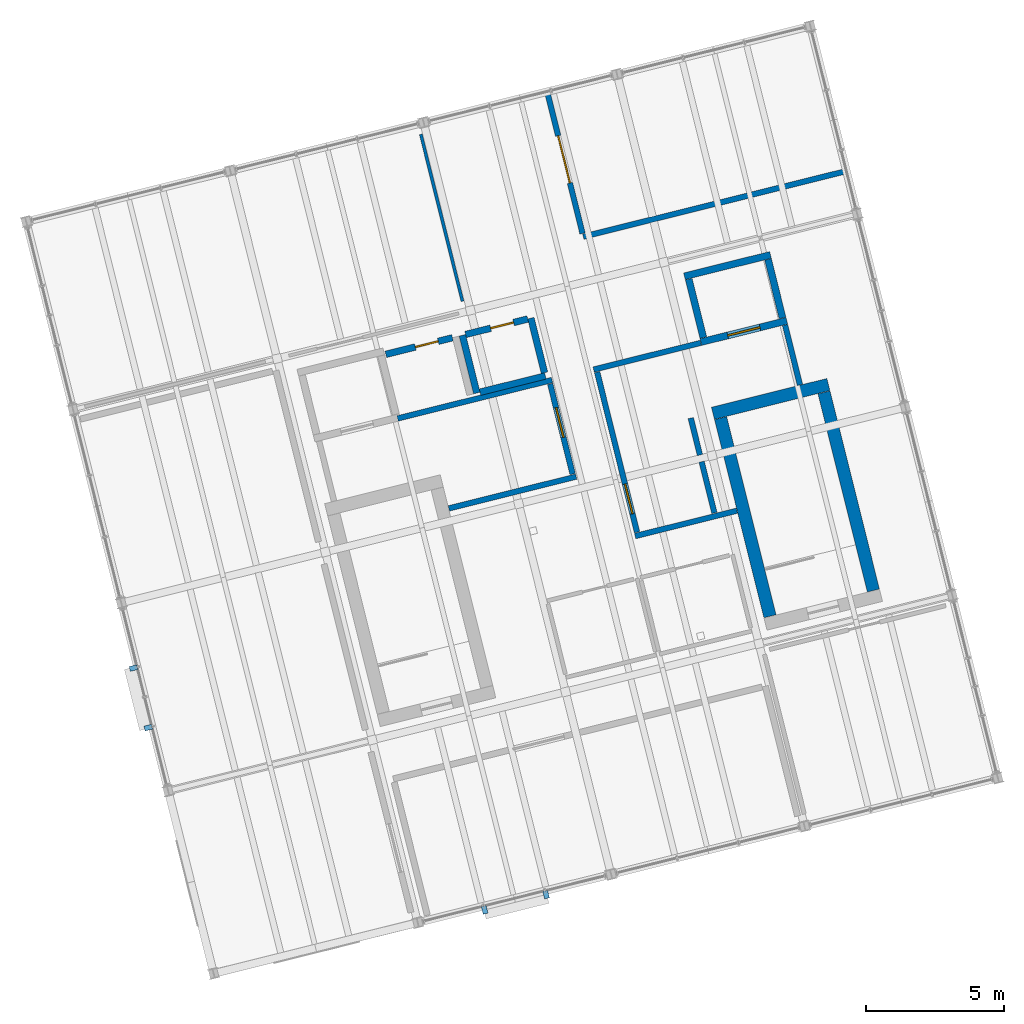
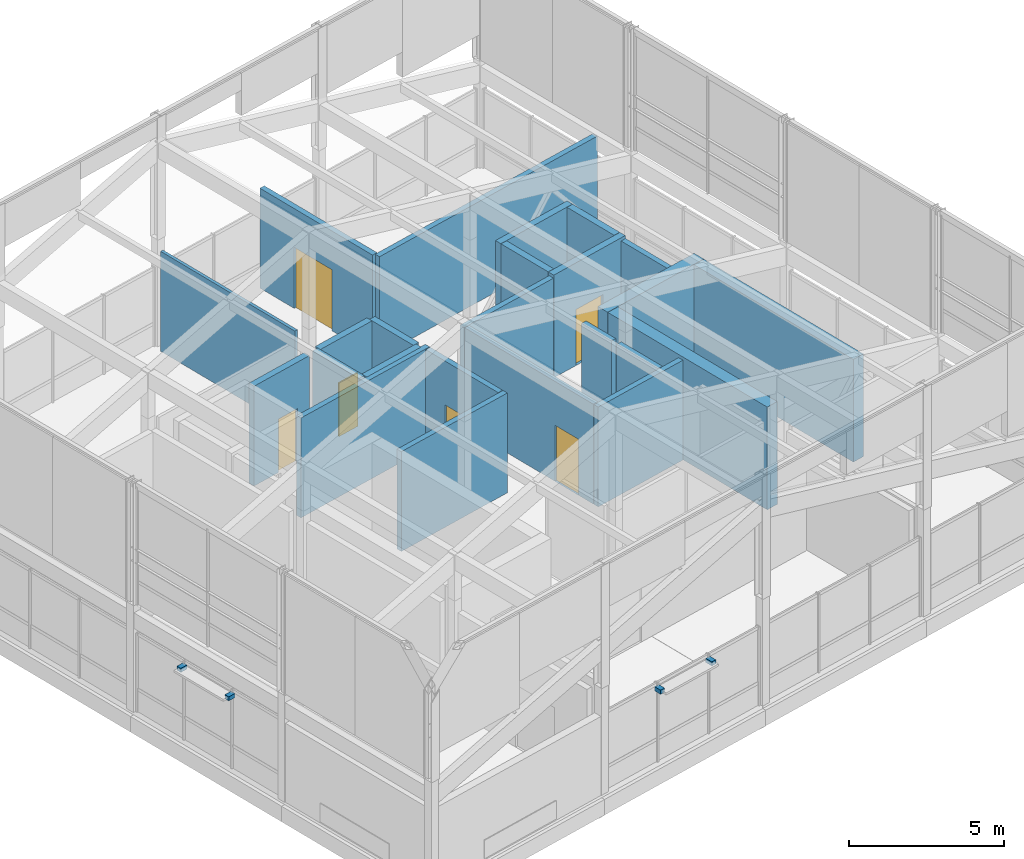
# One storey, part 30 of 31: 24 walls, 6 doors, 4 discrete accessories, 6 openings.
"""IFC4 building model written with IfcOpenShell, lengths in metres."""

from ifc_helpers import new_model, si_unit, direction, frame, frame_2d, origin, origin_2d, place, context, subcontext, project, spatial, rectangle, extrude, material, layer, layer_set, type_object, element, fill, save


model = new_model("IFC4")

# Units and contexts
model_context = context("Model", 3, precision=1e-05, world=origin(), true_north=direction((0.0, 1.0)))
body_context = subcontext(model_context, "Body", "Model", "MODEL_VIEW")
ifc_project = project(units=[si_unit("LENGTHUNIT", "METRE"), si_unit("AREAUNIT", "SQUARE_METRE"), si_unit("VOLUMEUNIT", "CUBIC_METRE"), si_unit("PLANEANGLEUNIT", "RADIAN"), si_unit("MASSUNIT", "GRAM", prefix="KILO")], contexts=[model_context])

# Site, building, storey
site_placement = place(None, origin())
site = spatial("IfcSite", under=ifc_project, at=site_placement, CompositionType="ELEMENT")
building_placement = place(site_placement, origin())
building = spatial("IfcBuilding", under=site, at=building_placement, Name="Meriwether Solvik Hall", CompositionType="ELEMENT")
storey_placement = place(building_placement, frame((0.0, 0.0, 61.199951171875)))
storey = spatial("IfcBuildingStorey", under=building, at=storey_placement, Name="L15", CompositionType="ELEMENT", Elevation=61.199951171875)

# Walls
ifc_material_1 = material(Name="Fire-Rated Type X Gypsum Board", Category="gypsum")
ifc_layer_1 = layer(ifc_material_1, 0.199951171875)
ifc_layer_set_1 = layer_set([ifc_layer_1], Name="Fire-Rated Type X Gypsum Board")
wall_type_1 = type_object("IfcWallType", Name="WALL-FIRE-200", PredefinedType="STANDARD", material=ifc_layer_set_1)
wall_1_placement = place(storey_placement, frame((77.096923828125, 58.0048828125, 0.0), z_axis=(0.0, 0.0, 1.0), x_axis=(0.970305892741, 0.241881116483, 0.0)))
element("IfcWall", 1, at=wall_1_placement, inside=storey, type_object=wall_type_1, Name="L15 Interior Partition lb1_s", PredefinedType="STANDARD", context=body_context, shape_type="SweptSolid", body=[
    extrude(rectangle(XDim=4.73974609375, YDim=0.199951171875, at=frame_2d((2.369873046875, 0.0))), origin(), (0.0, 0.0, 1.0), 3.920166015625),
])
wall_2_placement = place(storey_placement, frame((75.24609375, 61.25341796875, 0.0), z_axis=(0.0, 0.0, 1.0), x_axis=(0.970292173201, 0.24193614576, 0.0)))
element("IfcWall", 2, at=wall_2_placement, inside=storey, type_object=wall_type_1, Name="L15 Interior Partition lb1_n_cap", PredefinedType="STANDARD", context=body_context, shape_type="SweptSolid", body=[
    extrude(rectangle(XDim=5.75, YDim=0.199951171875, at=frame_2d((2.875, 0.0))), origin(), (0.0, 0.0, 1.0), 3.920166015625),
])

# Wall, opening, door
wall_3_placement = place(storey_placement, frame((80.75732421875, 62.50390625, 0.0), z_axis=(0.0, 0.0, 1.0), x_axis=(0.241885902723, -0.970304699599, 0.0)))
wall_3 = element("IfcWall", 3, at=wall_3_placement, inside=storey, type_object=wall_type_1, Name="L15 Interior Partition lb1_e", PredefinedType="STANDARD", context=body_context, shape_type="SweptSolid", body=[
    extrude(rectangle(XDim=3.360107421875, YDim=0.199951171875, at=frame_2d((1.68017578125, 0.0))), origin(), (0.0, 0.0, 1.0), 3.920166015625),
])
opening_1_placement = place(wall_3_placement, frame((0.889892578125, 0.0, 0.0)))
opening_1 = element("IfcOpeningElement", 4, at=opening_1_placement, cuts=wall_3, Name="Opening D-168", PredefinedType="OPENING", context=body_context, shape_type="SweptSolid", body=[
    extrude(rectangle(XDim=1.10009765625, YDim=2.199951171875, at=frame_2d((0.550048828125, 1.10009765625))), frame((0.0, 0.11181640625, 0.0), z_axis=(0.0, -1.0, 0.0), x_axis=(1.0, 0.0, 0.0)), (0.0, 0.0, 1.0), 0.223876953125),
])
ifc_material_2 = material(Name="Steel A36 Galvanised", Category="steel")
door_type_1 = type_object("IfcDoorType", Name="DR-FD60-1100L", OperationType="SINGLE_SWING_LEFT", PredefinedType="DOOR", material=ifc_material_2)
door_1_placement = place(opening_1_placement, origin())
door_1 = element("IfcDoor", 5, at=door_1_placement, inside=storey, type_object=door_type_1, Name="West FSAE Lift Lobby Door (L15)", OperationType="SINGLE_SWING_LEFT", OverallHeight=2.199951171875, OverallWidth=1.10009765625, PredefinedType="DOOR", context=body_context, shape_type="SweptSolid", body=[
    extrude(rectangle(XDim=1.10009765625, YDim=2.199951171875, at=frame_2d((0.550048828125, 1.10009765625))), frame((0.0, 0.02490234375, 0.0), z_axis=(0.0, -1.0, 0.0), x_axis=(1.0, 0.0, 0.0)), (0.0, 0.0, 1.0), 0.050048828125),
])
fill(opening_1, door_1)

# Walls
wall_4_placement = place(storey_placement, frame((83.8291015625, 57.003662109375, 0.0), z_axis=(0.0, 0.0, 1.0), x_axis=(0.970290096712, 0.241944473428, 0.0)))
element("IfcWall", 6, at=wall_4_placement, inside=storey, type_object=wall_type_1, Name="L15 Interior Partition lb2_s_w", PredefinedType="STANDARD", context=body_context, shape_type="SweptSolid", body=[
    extrude(rectangle(XDim=3.7900390625, YDim=0.199951171875, at=frame_2d((1.89501953125, 0.0))), origin(), (0.0, 0.0, 1.0), 3.920166015625),
])
wall_5_placement = place(storey_placement, frame((86.691650390625, 57.841064453125, 0.0), z_axis=(0.0, 0.0, 1.0), x_axis=(-0.241992731984, 0.970278062035, 0.0)))
element("IfcWall", 7, at=wall_5_placement, inside=storey, type_object=wall_type_1, Name="L15 Interior Partition lb2_e_low", PredefinedType="STANDARD", context=body_context, shape_type="SweptSolid", body=[
    extrude(rectangle(XDim=1.90478515625, YDim=0.199951171875, at=frame_2d((0.952392578125, 0.0))), origin(), (0.0, 0.0, 1.0), 3.920166015625),
])
wall_6_placement = place(storey_placement, frame((86.169921875, 59.932861328125, 0.0), z_axis=(0.0, 0.0, 1.0), x_axis=(-0.241824833036, 0.970319921535, 0.0)))
element("IfcWall", 8, at=wall_6_placement, inside=storey, type_object=wall_type_1, Name="L15 Interior Partition lb2_e_low_s2", PredefinedType="STANDARD", context=body_context, shape_type="SweptSolid", body=[
    extrude(rectangle(XDim=1.3740234375, YDim=0.199951171875, at=frame_2d((0.68701171875, 0.0))), origin(), (0.0, 0.0, 1.0), 3.920166015625),
])
wall_7_placement = place(storey_placement, frame((82.3291015625, 63.01953125, 0.0), z_axis=(0.0, 0.0, 1.0), x_axis=(0.970293478038, 0.24193091261, 0.0)))
element("IfcWall", 9, at=wall_7_placement, inside=storey, type_object=wall_type_1, Name="L15 Interior Partition lb2_n_cap", PredefinedType="STANDARD", context=body_context, shape_type="SweptSolid", body=[
    extrude(rectangle(XDim=3.990234375, YDim=0.199951171875, at=frame_2d((1.9951171875, 0.0))), origin(), (0.0, 0.0, 1.0), 3.920166015625),
])
wall_8_placement = place(storey_placement, frame((89.784423828125, 62.466796875, 0.0), z_axis=(0.0, 0.0, 1.0), x_axis=(-0.241968821437, 0.970284025146, 0.0)))
element("IfcWall", 10, at=wall_8_placement, inside=storey, type_object=wall_type_1, Name="L15 Interior Partition lb2_e", PredefinedType="STANDARD", context=body_context, shape_type="SweptSolid", body=[
    extrude(rectangle(XDim=2.229736328125, YDim=0.199951171875, at=frame_2d((1.11474609375, 0.0))), origin(), (0.0, 0.0, 1.0), 3.920166015625),
])

# Wall, opening, door
wall_9_placement = place(storey_placement, frame((83.897216796875, 57.144287109375, 0.0), z_axis=(0.0, 0.0, 1.0), x_axis=(-0.241928359082, 0.970294114726, 0.0)))
wall_9 = element("IfcWall", 11, at=wall_9_placement, inside=storey, type_object=wall_type_1, Name="L15 Interior Partition lb2_w", PredefinedType="STANDARD", context=body_context, shape_type="SweptSolid", body=[
    extrude(rectangle(XDim=5.9599609375, YDim=0.199951171875, at=frame_2d((2.97998046875, 0.0))), origin(), (0.0, 0.0, 1.0), 3.920166015625),
])
opening_2_placement = place(wall_9_placement, frame((0.68994140625, 0.0, 0.0)))
opening_2 = element("IfcOpeningElement", 12, at=opening_2_placement, cuts=wall_9, Name="Opening D-142", PredefinedType="OPENING", context=body_context, shape_type="SweptSolid", body=[
    extrude(rectangle(XDim=1.10009765625, YDim=2.199951171875, at=frame_2d((0.550048828125, 1.10009765625))), frame((0.0, 0.11181640625, 0.0), z_axis=(0.0, -1.0, 0.0), x_axis=(1.0, 0.0, 0.0)), (0.0, 0.0, 1.0), 0.223876953125),
])
ifc_material_3 = material(Name="Steel A36 Galvanised", Category="steel")
door_type_2 = type_object("IfcDoorType", Name="DR-FD60-1100R", OperationType="SINGLE_SWING_RIGHT", PredefinedType="DOOR", material=ifc_material_3)
door_2_placement = place(opening_2_placement, origin())
door_2 = element("IfcDoor", 13, at=door_2_placement, inside=storey, type_object=door_type_2, Name="East FSAE Lift Lobby Door (L15)", OperationType="SINGLE_SWING_RIGHT", OverallHeight=2.199951171875, OverallWidth=1.10009765625, PredefinedType="DOOR", context=body_context, shape_type="SweptSolid", body=[
    extrude(rectangle(XDim=1.10009765625, YDim=2.199951171875, at=frame_2d((0.550048828125, 1.10009765625))), frame((0.0, 0.02490234375, 0.0), z_axis=(0.0, -1.0, 0.0), x_axis=(1.0, 0.0, 0.0)), (0.0, 0.0, 1.0), 0.050048828125),
])
fill(opening_2, door_2)

# Wall
wall_10_placement = place(storey_placement, frame((81.956298828125, 67.822021484375, 0.0), z_axis=(0.0, 0.0, 1.0), x_axis=(0.970298591584, 0.241910403187, 0.0)))
element("IfcWall", 14, at=wall_10_placement, inside=storey, type_object=wall_type_1, Name="L15 Interior Partition plant_ahu_s", PredefinedType="STANDARD", context=body_context, shape_type="SweptSolid", body=[
    extrude(rectangle(XDim=9.739990234375, YDim=0.199951171875, at=frame_2d((4.8701171875, 0.0))), origin(), (0.0, 0.0, 1.0), 3.920166015625),
])

# Wall, opening, door
wall_11_placement = place(storey_placement, frame((80.66455078125, 73.00341796875, 0.0), z_axis=(0.0, 0.0, 1.0), x_axis=(0.241897292077, -0.970301860292, 0.0)))
wall_11 = element("IfcWall", 15, at=wall_11_placement, inside=storey, type_object=wall_type_1, Name="L15 Interior Partition plant_ahu_w", PredefinedType="STANDARD", context=body_context, shape_type="SweptSolid", body=[
    extrude(rectangle(XDim=5.219970703125, YDim=0.199951171875, at=frame_2d((2.60986328125, 0.0))), origin(), (0.0, 0.0, 1.0), 3.920166015625),
])
opening_3_placement = place(wall_11_placement, frame((1.58740234375, 0.0, 0.0)))
opening_3 = element("IfcOpeningElement", 16, at=opening_3_placement, cuts=wall_11, Name="Opening D-159", PredefinedType="OPENING", context=body_context, shape_type="SweptSolid", body=[
    extrude(rectangle(XDim=1.75, YDim=2.39990234375, at=frame_2d((0.875, 1.199951171875))), frame((0.0, 0.11181640625, 0.0), z_axis=(0.0, -1.0, 0.0), x_axis=(1.0, 0.0, 0.0)), (0.0, 0.0, 1.0), 0.223876953125),
])
ifc_material_4 = material(Name="Steel A36 Galvanised", Category="steel")
door_type_3 = type_object("IfcDoorType", Name="DR-FD90-1750", OperationType="DOUBLE_DOOR_SINGLE_SWING", PredefinedType="DOOR", material=ifc_material_4)
door_3_placement = place(opening_3_placement, origin())
door_3 = element("IfcDoor", 17, at=door_3_placement, inside=storey, type_object=door_type_3, Name="Upper Tower Air Handling and PV Plant Door", OperationType="DOUBLE_DOOR_SINGLE_SWING", OverallHeight=2.39990234375, OverallWidth=1.75, PredefinedType="DOOR", context=body_context, shape_type="SweptSolid", body=[
    extrude(rectangle(XDim=1.75, YDim=2.39990234375, at=frame_2d((0.875, 1.199951171875))), frame((0.0, 0.02490234375, 0.0), z_axis=(0.0, -1.0, 0.0), x_axis=(1.0, 0.0, 0.0)), (0.0, 0.0, 1.0), 0.050048828125),
])
fill(opening_3, door_3)

# Walls
ifc_material_5 = material(Name="Tempered Laminated Glass in Anodised Aluminium Frame", Category="aluminium")
ifc_layer_2 = layer(ifc_material_5, 0.112060546875)
ifc_layer_set_2 = layer_set([ifc_layer_2], Name="Tempered Laminated Glass in Anodised Aluminium Frame")
wall_type_2 = type_object("IfcWallType", Name="WALL-GLZ-112", PredefinedType="PARTITIONING", material=ifc_layer_set_2)
wall_12_placement = place(storey_placement, frame((77.591552734375, 65.486572265625, 0.0), z_axis=(0.0, 0.0, 1.0), x_axis=(-0.241925976618, 0.970294708755, 0.0)))
element("IfcWall", 18, at=wall_12_placement, inside=storey, type_object=wall_type_2, Name="L15 Interior Partition sal_15nw_e", PredefinedType="PARTITIONING", context=body_context, shape_type="SweptSolid", body=[
    extrude(rectangle(XDim=6.219482421875, YDim=0.112060546875, at=frame_2d((3.10986328125, 0.0))), origin(), (0.0, 0.0, 1.0), 3.920166015625),
])
ifc_material_6 = material(Name="Concrete C40/50", Category="concrete")
ifc_layer_3 = layer(ifc_material_6, 0.25)
ifc_layer_set_3 = layer_set([ifc_layer_3], Name="Concrete C40/50")
wall_type_3 = type_object("IfcWallType", Name="WALL-HOIST-250", PredefinedType="SHEAR", material=ifc_layer_set_3)
wall_13_placement = place(storey_placement, frame((88.716552734375, 67.162841796875, 0.0), z_axis=(0.0, 0.0, 1.0), x_axis=(-0.970294894235, -0.241925232711, 0.0)))
element("IfcWall", 19, at=wall_13_placement, inside=storey, type_object=wall_type_3, Name="Hoistway BANK2 North Wall (L15)", PredefinedType="SHEAR", context=body_context, shape_type="SweptSolid", body=[
    extrude(rectangle(XDim=3.199951171875, YDim=0.25, at=frame_2d((1.60009765625, 0.0))), origin(), (0.0, 0.0, 1.0), 4.031982421875),
])
for number, where, z_axis, x_axis, name in (
    (20, (85.765625, 66.287841796875, 0.0), (0.0, 0.0, 1.0), (0.241903146974, -0.970300400641, 0.0), "Hoistway BANK2 West Wall (L15)"),
    (21, (89.1552734375, 64.886474609375, 0.0), (0.0, 0.0, 1.0), (-0.241903146974, 0.970300400641, 0.0), "Hoistway BANK2 East Wall (L15)"),
):
    element("IfcWall", number, at=place(storey_placement, frame(where, z_axis=z_axis, x_axis=x_axis)), inside=storey, type_object=wall_type_3, Name=name, PredefinedType="SHEAR", context=body_context, shape_type="SweptSolid", body=[
        extrude(rectangle(XDim=2.179931640625, YDim=0.25, at=frame_2d((1.08984375, 0.0))), origin(), (0.0, 0.0, 1.0), 4.031982421875),
    ])

# Wall, opening, door
wall_14_placement = place(storey_placement, frame((86.204345703125, 64.011474609375, 0.0), z_axis=(0.0, 0.0, 1.0), x_axis=(0.970294894235, 0.241925232711, 0.0)))
wall_14 = element("IfcWall", 22, at=wall_14_placement, inside=storey, type_object=wall_type_3, Name="Lift LF-02 Landing Wall (L15)", PredefinedType="SHEAR", context=body_context, shape_type="SweptSolid", body=[
    extrude(rectangle(XDim=3.199951171875, YDim=0.25, at=frame_2d((1.60009765625, 0.0))), origin(), (0.0, 0.0, 1.0), 4.031982421875),
])
opening_4_placement = place(wall_14_placement, frame((1.0, 0.0, 0.0)))
opening_4 = element("IfcOpeningElement", 23, at=opening_4_placement, cuts=wall_14, Name="Opening LD-02", PredefinedType="OPENING", context=body_context, shape_type="SweptSolid", body=[
    extrude(rectangle(XDim=1.199951171875, YDim=2.199951171875, at=frame_2d((0.60009765625, 1.10009765625))), frame((0.0, 0.136962890625, 0.0), z_axis=(0.0, -1.0, 0.0), x_axis=(1.0, 0.0, 0.0)), (0.0, 0.0, 1.0), 0.27392578125),
])
ifc_material_7 = material(Name="Stainless Steel AISI 316", Category="steel")
door_type_4 = type_object("IfcDoorType", Name="DR-LIFT-FSAE", OperationType="DOUBLE_DOOR_SLIDING", PredefinedType="DOOR", material=ifc_material_7)
door_4_placement = place(opening_4_placement, origin())
door_4 = element("IfcDoor", 24, at=door_4_placement, inside=storey, type_object=door_type_4, Name="Lift Landing Door LF-02 (L15)", OperationType="DOUBLE_DOOR_SLIDING", OverallHeight=2.199951171875, OverallWidth=1.199951171875, PredefinedType="DOOR", context=body_context, shape_type="SweptSolid", body=[
    extrude(rectangle(XDim=1.199951171875, YDim=2.199951171875, at=frame_2d((0.60009765625, 1.10009765625))), frame((0.0, 0.02490234375, 0.0), z_axis=(0.0, -1.0, 0.0), x_axis=(1.0, 0.0, 0.0)), (0.0, 0.0, 1.0), 0.050048828125),
])
fill(opening_4, door_4)

# Walls
ifc_material_8 = material(Name="Concrete C45/55", Category="concrete")
ifc_layer_4 = layer(ifc_material_8, 0.449951171875)
ifc_layer_set_4 = layer_set([ifc_layer_4], Name="Concrete C45/55")
wall_type_4 = type_object("IfcWallType", Name="WALL-RC-450", PredefinedType="SHEAR", material=ifc_layer_set_4)
wall_15_placement = place(storey_placement, frame((90.8115234375, 62.48046875, 0.0), z_axis=(0.0, 0.0, 1.0), x_axis=(-0.970309259708, -0.2418676095, 0.0)))
element("IfcWall", 25, at=wall_15_placement, inside=storey, type_object=wall_type_4, Name="CORE-2 Shear Wall N (L15)", PredefinedType="SHEAR", context=body_context, shape_type="SweptSolid", body=[
    extrude(rectangle(XDim=4.300048828125, YDim=0.449951171875, at=frame_2d((2.14990234375, 0.0))), origin(), (0.0, 0.0, 1.0), 4.031982421875),
])
for number, where, z_axis, x_axis, name in (
    (26, (86.91455078125, 61.266845703125, 0.0), (0.0, 0.0, 1.0), (0.241889515465, -0.970303798976, 0.0), "CORE-2 Shear Wall W (L15)"),
    (27, (92.435546875, 55.037353515625, 0.0), (0.0, 0.0, 1.0), (-0.241920660665, 0.970296034179, 0.0), "CORE-2 Shear Wall E (L15)"),
):
    element("IfcWall", number, at=place(storey_placement, frame(where, z_axis=z_axis, x_axis=x_axis)), inside=storey, type_object=wall_type_4, Name=name, PredefinedType="SHEAR", context=body_context, shape_type="SweptSolid", body=[
        extrude(rectangle(XDim=7.380126953125, YDim=0.449951171875, at=frame_2d((3.68994140625, 0.0))), origin(), (0.0, 0.0, 1.0), 4.031982421875),
    ])

# Wall, opening, door
ifc_material_9 = material(Name="Concrete C35/45", Category="concrete")
ifc_layer_5 = layer(ifc_material_9, 0.239990234375)
ifc_layer_set_5 = layer_set([ifc_layer_5], Name="Concrete C35/45")
wall_type_5 = type_object("IfcWallType", Name="WALL-SHAFT-240", PredefinedType="STANDARD", material=ifc_layer_set_5)
wall_16_placement = place(storey_placement, frame((77.2294921875, 64.169921875, 0.0), z_axis=(0.0, 0.0, 1.0), x_axis=(-0.970310192441, -0.241863867589, 0.0)))
wall_16 = element("IfcWall", 28, at=wall_16_placement, inside=storey, type_object=wall_type_5, Name="L15 Interior Partition riser1_n", PredefinedType="STANDARD", context=body_context, shape_type="SweptSolid", body=[
    extrude(rectangle(XDim=2.480224609375, YDim=0.239990234375, at=frame_2d((1.240234375, 0.0))), origin(), (0.0, 0.0, 1.0), 3.920166015625),
])
opening_5_placement = place(wall_16_placement, frame((0.530029296875, 0.0, 0.0)))
opening_5 = element("IfcOpeningElement", 29, at=opening_5_placement, cuts=wall_16, Name="Opening D-102", PredefinedType="OPENING", context=body_context, shape_type="SweptSolid", body=[
    extrude(rectangle(XDim=0.85009765625, YDim=2.10009765625, at=frame_2d((0.425048828125, 1.050048828125))), frame((0.0, 0.1318359375, 0.0), z_axis=(0.0, -1.0, 0.0), x_axis=(1.0, 0.0, 0.0)), (0.0, 0.0, 1.0), 0.263916015625),
])
ifc_material_10 = material(Name="Steel A36 Galvanised", Category="steel")
door_type_5 = type_object("IfcDoorType", Name="DR-FD60-850L", OperationType="SINGLE_SWING_LEFT", PredefinedType="DOOR", material=ifc_material_10)
door_5_placement = place(opening_5_placement, origin())
door_5 = element("IfcDoor", 30, at=door_5_placement, inside=storey, type_object=door_type_5, Name="Telecom Riser Closet Door (L15)", OperationType="SINGLE_SWING_LEFT", OverallHeight=2.10009765625, OverallWidth=0.85009765625, PredefinedType="DOOR", context=body_context, shape_type="SweptSolid", body=[
    extrude(rectangle(XDim=0.85009765625, YDim=2.10009765625, at=frame_2d((0.425048828125, 1.050048828125))), frame((0.0, 0.02490234375, 0.0), z_axis=(0.0, -1.0, 0.0), x_axis=(1.0, 0.0, 0.0)), (0.0, 0.0, 1.0), 0.050048828125),
])
fill(opening_5, door_5)

# Walls
wall_17_placement = place(storey_placement, frame((77.58837890625, 64.259521484375, 0.0), z_axis=(0.0, 0.0, 1.0), x_axis=(0.241974515127, -0.970282605239, 0.0)))
element("IfcWall", 31, at=wall_17_placement, inside=storey, type_object=wall_type_5, Name="L15 Interior Partition riser2_w", PredefinedType="STANDARD", context=body_context, shape_type="SweptSolid", body=[
    extrude(rectangle(XDim=2.150146484375, YDim=0.239990234375, at=frame_2d((1.0751953125, 0.0))), origin(), (0.0, 0.0, 1.0), 3.920166015625),
])
wall_18_placement = place(storey_placement, frame((78.22509765625, 62.202392578125, 0.0), z_axis=(0.0, 0.0, 1.0), x_axis=(0.970290077921, 0.241944548787, 0.0)))
element("IfcWall", 32, at=wall_18_placement, inside=storey, type_object=wall_type_5, Name="L15 Interior Partition riser2_s", PredefinedType="STANDARD", context=body_context, shape_type="SweptSolid", body=[
    extrude(rectangle(XDim=2.429931640625, YDim=0.239990234375, at=frame_2d((1.21484375, 0.0))), origin(), (0.0, 0.0, 1.0), 3.920166015625),
])
wall_19_placement = place(storey_placement, frame((80.5537109375, 62.90673828125, 0.0), z_axis=(0.0, 0.0, 1.0), x_axis=(-0.241856412256, 0.97031205076, 0.0)))
element("IfcWall", 33, at=wall_19_placement, inside=storey, type_object=wall_type_5, Name="L15 Interior Partition riser2_e", PredefinedType="STANDARD", context=body_context, shape_type="SweptSolid", body=[
    extrude(rectangle(XDim=2.030029296875, YDim=0.239990234375, at=frame_2d((1.01513671875, 0.0))), origin(), (0.0, 0.0, 1.0), 3.920166015625),
])

# Wall, opening, door
wall_20_placement = place(storey_placement, frame((79.9462890625, 64.847412109375, 0.0), z_axis=(0.0, 0.0, 1.0), x_axis=(-0.970297720672, -0.241913896375, 0.0)))
wall_20 = element("IfcWall", 34, at=wall_20_placement, inside=storey, type_object=wall_type_5, Name="L15 Interior Partition riser2_n", PredefinedType="STANDARD", context=body_context, shape_type="SweptSolid", body=[
    extrude(rectangle(XDim=2.31005859375, YDim=0.239990234375, at=frame_2d((1.155029296875, 0.0))), origin(), (0.0, 0.0, 1.0), 3.920166015625),
])
opening_6_placement = place(wall_20_placement, frame((0.530029296875, 0.0, 0.0)))
opening_6 = element("IfcOpeningElement", 35, at=opening_6_placement, cuts=wall_20, Name="Opening D-186", PredefinedType="OPENING", context=body_context, shape_type="SweptSolid", body=[
    extrude(rectangle(XDim=0.85009765625, YDim=2.10009765625, at=frame_2d((0.425048828125, 1.050048828125))), frame((0.0, 0.1318359375, 0.0), z_axis=(0.0, -1.0, 0.0), x_axis=(1.0, 0.0, 0.0)), (0.0, 0.0, 1.0), 0.263916015625),
])
ifc_material_11 = material(Name="Steel A36 Galvanised", Category="steel")
door_type_6 = type_object("IfcDoorType", Name="DR-FD60-850R", OperationType="SINGLE_SWING_RIGHT", PredefinedType="DOOR", material=ifc_material_11)
door_6_placement = place(opening_6_placement, origin())
door_6 = element("IfcDoor", 36, at=door_6_placement, inside=storey, type_object=door_type_6, Name="Electrical Riser Closet Door (L15)", OperationType="SINGLE_SWING_RIGHT", OverallHeight=2.10009765625, OverallWidth=0.85009765625, PredefinedType="DOOR", context=body_context, shape_type="SweptSolid", body=[
    extrude(rectangle(XDim=0.85009765625, YDim=2.10009765625, at=frame_2d((0.425048828125, 1.050048828125))), frame((0.0, 0.02490234375, 0.0), z_axis=(0.0, -1.0, 0.0), x_axis=(1.0, 0.0, 0.0)), (0.0, 0.0, 1.0), 0.050048828125),
])
fill(opening_6, door_6)

# Discrete accessories
ifc_material_12 = material(Name="Steel A36 Galvanised", Category="steel")
discrete_accessory_type = type_object("IfcDiscreteAccessoryType", Name="ACC-BRK-STL", PredefinedType="BRACKET", material=ifc_material_12)
for number, where, z_axis, x_axis, name in (
    (37, (80.61083984375, 44.05029296875, 2.80224609375), (0.0, 0.0, 1.0), (-0.970295730764, -0.241921877598, 0.0), "Sunshade Outrigger Bracket E0_B1-1"),
    (38, (78.3916015625, 43.4970703125, 2.80224609375), (0.0, 0.0, 1.0), (-0.970295730764, -0.241921877598, 0.0), "Sunshade Outrigger Bracket E0_B1-2"),
    (39, (66.240966796875, 50.0830078125, 2.80224609375), (0.0, 0.0, 1.0), (-0.241921784185, 0.970295754055, 0.0), "Sunshade Outrigger Bracket E3_B1-1"),
    (40, (65.703857421875, 52.2373046875, 2.80224609375), (0.0, 0.0, 1.0), (-0.241921784185, 0.970295754055, 0.0), "Sunshade Outrigger Bracket E3_B1-2"),
):
    element("IfcDiscreteAccessory", number, at=place(storey_placement, frame(where, z_axis=z_axis, x_axis=x_axis)), inside=storey, type_object=discrete_accessory_type, Name=name, PredefinedType="BRACKET", context=body_context, shape_type="SweptSolid", body=[
        extrude(rectangle(XDim=0.179931640625, YDim=0.280029296875, at=origin_2d()), origin(), (0.0, 0.0, 1.0), 0.159912109375),
    ])

save(model, "model.ifc")
